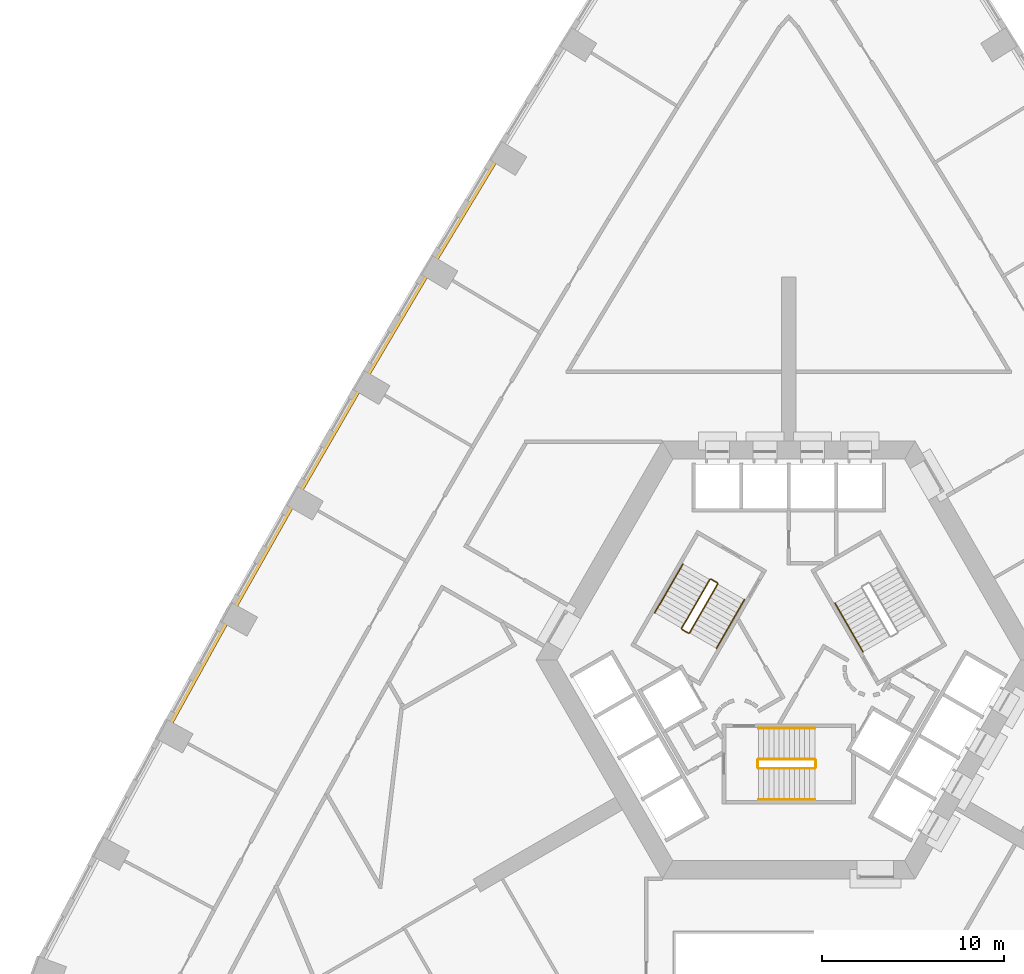
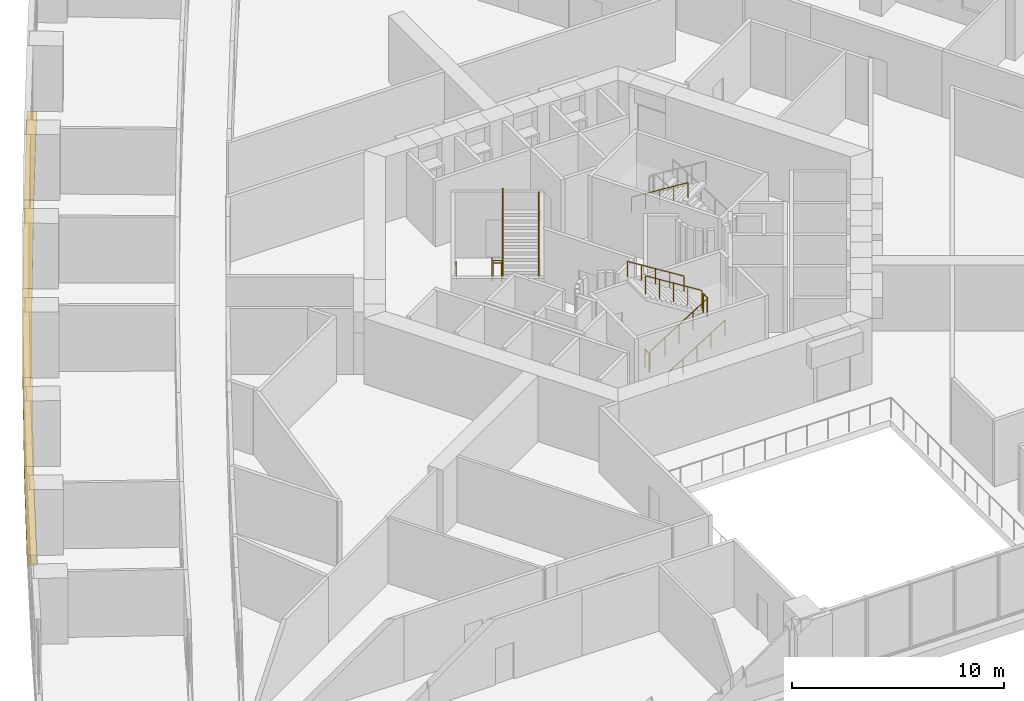
# One storey, part 14 of 16: 13 railings, 5 coverings.
"""IFC4 building model written with IfcOpenShell, lengths in metres."""

from ifc_helpers import new_model, si_unit, direction, frame, origin, origin_2d, place, context, subcontext, project, spatial, polyline, circle, outline, extrude, material, type_object, element, save


model = new_model("IFC4")

# Units and contexts
model_context = context("Model", 3, precision=1e-05, world=origin(), true_north=direction((0.0, 1.0)))
body_context = subcontext(model_context, "Body", "Model", "MODEL_VIEW")
ifc_project = project(units=[si_unit("LENGTHUNIT", "METRE"), si_unit("AREAUNIT", "SQUARE_METRE"), si_unit("VOLUMEUNIT", "CUBIC_METRE"), si_unit("PLANEANGLEUNIT", "RADIAN"), si_unit("MASSUNIT", "GRAM", prefix="KILO")], contexts=[model_context])

# Site, building, storey
site_placement = place(None, origin())
site = spatial("IfcSite", under=ifc_project, at=site_placement, CompositionType="ELEMENT")
building_placement = place(site_placement, origin())
building = spatial("IfcBuilding", under=site, at=building_placement, Name="Entoto Arch Interchange Tower", CompositionType="ELEMENT")
storey_placement = place(building_placement, frame((0.0, 0.0, 60.199951171875)))
storey = spatial("IfcBuildingStorey", under=building, at=storey_placement, Name="L12", CompositionType="ELEMENT", Elevation=60.199951171875)

# Coverings
ifc_material_1 = material(Name="Board-marked precast concrete C50/60", Category="concrete")
covering_type = type_object("IfcCoveringType", Name="PRECAST LEDGE COURSE", PredefinedType="CLADDING", material=ifc_material_1)
covering_1_placement = place(storey_placement, frame((0.0, 0.0, -1.0)))
element("IfcCovering", 1, at=covering_1_placement, inside=storey, type_object=covering_type, Name="Precast course NW-03 L12", PredefinedType="CLADDING", context=body_context, shape_type="SweptSolid", body=[
    extrude(outline(polyline([(-19.511962890625, 23.944091796875), (-19.89990234375, 24.176025390625), (-16.118896484375, 30.449951171875), (-15.72900390625, 30.2119140625), (-19.511962890625, 23.944091796875)])), origin(), (0.0, 0.0, 1.0), 0.60009765625),
])
covering_2_placement = place(storey_placement, frame((0.0, 0.0, -1.0)))
element("IfcCovering", 2, at=covering_2_placement, inside=storey, type_object=covering_type, Name="Precast course NW-04 L12", PredefinedType="CLADDING", context=body_context, shape_type="SweptSolid", body=[
    extrude(outline(polyline([(-23.23388671875, 17.639892578125), (-23.623046875, 17.866943359375), (-19.89990234375, 24.176025390625), (-19.511962890625, 23.944091796875), (-23.23388671875, 17.639892578125)])), origin(), (0.0, 0.0, 1.0), 0.60009765625),
])
covering_3_placement = place(storey_placement, frame((0.0, 0.0, -1.0)))
element("IfcCovering", 3, at=covering_3_placement, inside=storey, type_object=covering_type, Name="Precast course NW-05 L12", PredefinedType="CLADDING", context=body_context, shape_type="SweptSolid", body=[
    extrude(outline(polyline([(-26.89404296875, 11.301025390625), (-27.284912109375, 11.52392578125), (-23.623046875, 17.866943359375), (-23.23388671875, 17.639892578125), (-26.89404296875, 11.301025390625)])), origin(), (0.0, 0.0, 1.0), 0.60009765625),
])
covering_4_placement = place(storey_placement, frame((0.0, 0.0, -1.0)))
element("IfcCovering", 4, at=covering_4_placement, inside=storey, type_object=covering_type, Name="Precast course NW-06 L12", PredefinedType="CLADDING", context=body_context, shape_type="SweptSolid", body=[
    extrude(outline(polyline([(-30.491943359375, 4.925048828125), (-30.887939453125, 5.14599609375), (-27.284912109375, 11.52392578125), (-26.89404296875, 11.301025390625), (-30.491943359375, 4.925048828125)])), origin(), (0.0, 0.0, 1.0), 0.60009765625),
])
covering_5_placement = place(storey_placement, frame((0.0, 0.0, -1.0)))
element("IfcCovering", 5, at=covering_5_placement, inside=storey, type_object=covering_type, Name="Precast course NW-07 L12", PredefinedType="CLADDING", context=body_context, shape_type="SweptSolid", body=[
    extrude(outline(polyline([(-34.028076171875, -1.48291015625), (-34.429931640625, -1.264892578125), (-30.887939453125, 5.14599609375), (-30.491943359375, 4.925048828125), (-34.028076171875, -1.48291015625)])), origin(), (0.0, 0.0, 1.0), 0.60009765625),
])

# Railings
ifc_material_2 = material(Name="Stainless steel 1.4301", Category="steel")
railing_type_1 = type_object("IfcRailingType", Name="STAIR GUARD 1100 STEEL", PredefinedType="GUARDRAIL", material=ifc_material_2)
railing_1_placement = place(storey_placement, frame((-1.64990234375, -3.449951171875, 0.175048828125)))
element("IfcRailing", 6, at=railing_1_placement, inside=storey, type_object=railing_type_1, Name="L12 ST-S stair guard 1", PredefinedType="GUARDRAIL", context=body_context, shape_type="SweptSolid", body=[
    extrude(circle(Radius=0.02392578125, at=origin_2d()), frame((0.0, 0.0, 1.076171875), z_axis=(0.847979421464, 0.0, 0.530029150871), x_axis=(0.0, 1.0, 0.0)), (0.0, 0.0, 1.0), 3.632080078125),
    extrude(circle(Radius=0.02099609375, at=origin_2d()), origin(), (0.0, 0.0, 1.0), 1.052001953125),
    extrude(circle(Radius=0.02099609375, at=origin_2d()), frame((0.77001953125, 0.0, 0.481201171875)), (0.0, 0.0, 1.0), 1.052001953125),
    extrude(circle(Radius=0.02099609375, at=origin_2d()), frame((1.5400390625, 0.0, 0.96240234375)), (0.0, 0.0, 1.0), 1.052001953125),
    extrude(circle(Radius=0.02099609375, at=origin_2d()), frame((2.309814453125, 0.0, 1.44384765625)), (0.0, 0.0, 1.0), 1.052001953125),
    extrude(circle(Radius=0.02099609375, at=origin_2d()), frame((3.079833984375, 0.0, 1.925048828125)), (0.0, 0.0, 1.0), 1.052001953125),
])
railing_2_placement = place(storey_placement, frame((1.47998046875, -3.39990234375, 2.10009765625)))
element("IfcRailing", 7, at=railing_2_placement, inside=storey, type_object=railing_type_1, Name="L12 ST-S stair guard 2", PredefinedType="GUARDRAIL", context=body_context, shape_type="SweptSolid", body=[
    extrude(circle(Radius=0.02392578125, at=origin_2d()), frame((0.0, 0.0, 1.076171875), z_axis=(0.0, 1.0, 0.0), x_axis=(-1.0, 0.0, 0.0)), (0.0, 0.0, 1.0), 0.39990234375),
    extrude(circle(Radius=0.02099609375, at=origin_2d()), origin(), (0.0, 0.0, 1.0), 1.052001953125),
    extrude(circle(Radius=0.02099609375, at=origin_2d()), frame((0.0, 0.39990234375, 0.0)), (0.0, 0.0, 1.0), 1.052001953125),
])
railing_3_placement = place(storey_placement, frame((1.429931640625, -2.949951171875, 2.275146484375)))
element("IfcRailing", 8, at=railing_3_placement, inside=storey, type_object=railing_type_1, Name="L12 ST-S stair guard 3", PredefinedType="GUARDRAIL", context=body_context, shape_type="SweptSolid", body=[
    extrude(circle(Radius=0.02392578125, at=origin_2d()), frame((0.0, 0.0, 1.076171875), z_axis=(-0.848009633417, 0.0, 0.529980812513), x_axis=(0.0, -1.0, 0.0)), (0.0, 0.0, 1.0), 3.6318359375),
    extrude(circle(Radius=0.02099609375, at=origin_2d()), origin(), (0.0, 0.0, 1.0), 1.052001953125),
    extrude(circle(Radius=0.02099609375, at=origin_2d()), frame((-0.77001953125, 0.0, 0.481201171875)), (0.0, 0.0, 1.0), 1.052001953125),
    extrude(circle(Radius=0.02099609375, at=origin_2d()), frame((-1.5400390625, 0.0, 0.96240234375)), (0.0, 0.0, 1.0), 1.052001953125),
    extrude(circle(Radius=0.02099609375, at=origin_2d()), frame((-2.309814453125, 0.0, 1.443603515625)), (0.0, 0.0, 1.0), 1.052001953125),
    extrude(circle(Radius=0.02099609375, at=origin_2d()), frame((-3.079833984375, 0.0, 1.9248046875)), (0.0, 0.0, 1.0), 1.052001953125),
])
railing_4_placement = place(storey_placement, frame((-1.699951171875, -3.39990234375, 0.0)))
element("IfcRailing", 9, at=railing_4_placement, inside=storey, type_object=railing_type_1, Name="L12 ST-S stair guard 4", PredefinedType="GUARDRAIL", context=body_context, shape_type="SweptSolid", body=[
    extrude(circle(Radius=0.02392578125, at=origin_2d()), frame((0.0, 0.0, 1.076171875), z_axis=(0.0, 1.0, 0.0), x_axis=(-1.0, 0.0, 0.0)), (0.0, 0.0, 1.0), 0.39990234375),
    extrude(circle(Radius=0.02099609375, at=origin_2d()), origin(), (0.0, 0.0, 1.0), 1.052001953125),
    extrude(circle(Radius=0.02099609375, at=origin_2d()), frame((0.0, 0.39990234375, 0.0)), (0.0, 0.0, 1.0), 1.052001953125),
])
railing_5_placement = place(storey_placement, frame((-4.327880859375, 6.904052734375, 0.175048828125)))
element("IfcRailing", 10, at=railing_5_placement, inside=storey, type_object=railing_type_1, Name="L12 ST-NW stair guard 1", PredefinedType="GUARDRAIL", context=body_context, shape_type="SweptSolid", body=[
    extrude(circle(Radius=0.02392578125, at=origin_2d()), frame((0.0, 0.0, 1.076171875), z_axis=(-0.423994474112, -0.734394994316, 0.52999309264), x_axis=(0.866029832698, -0.499992328818, 0.0)), (0.0, 0.0, 1.0), 3.63232421875),
    extrude(circle(Radius=0.02099609375, at=origin_2d()), origin(), (0.0, 0.0, 1.0), 1.052001953125),
    extrude(circle(Radius=0.02099609375, at=origin_2d()), frame((-0.385009765625, -0.6669921875, 0.481201171875)), (0.0, 0.0, 1.0), 1.052001953125),
    extrude(circle(Radius=0.02099609375, at=origin_2d()), frame((-0.77001953125, -1.333740234375, 0.96240234375)), (0.0, 0.0, 1.0), 1.052001953125),
    extrude(circle(Radius=0.02099609375, at=origin_2d()), frame((-1.155029296875, -2.00048828125, 1.44384765625)), (0.0, 0.0, 1.0), 1.052001953125),
    extrude(circle(Radius=0.02099609375, at=origin_2d()), frame((-1.5400390625, -2.66748046875, 1.925048828125)), (0.0, 0.0, 1.0), 1.052001953125),
])
railing_6_placement = place(storey_placement, frame((-5.849609375, 4.168212890625, 2.10009765625)))
element("IfcRailing", 11, at=railing_6_placement, inside=storey, type_object=railing_type_1, Name="L12 ST-NW stair guard 2", PredefinedType="GUARDRAIL", context=body_context, shape_type="SweptSolid", body=[
    extrude(circle(Radius=0.02392578125, at=origin_2d()), frame((0.0, 0.0, 1.076171875), z_axis=(0.866094119867, -0.499880961361, 0.0), x_axis=(0.499880961361, 0.866094119867, 0.0)), (0.0, 0.0, 1.0), 0.39990234375),
    extrude(circle(Radius=0.02099609375, at=origin_2d()), origin(), (0.0, 0.0, 1.0), 1.052001953125),
    extrude(circle(Radius=0.02099609375, at=origin_2d()), frame((0.346435546875, -0.199951171875, 0.0)), (0.0, 0.0, 1.0), 1.052001953125),
])
railing_7_placement = place(storey_placement, frame((-5.434814453125, 3.986572265625, 2.275146484375)))
element("IfcRailing", 12, at=railing_7_placement, inside=storey, type_object=railing_type_1, Name="L12 ST-NW stair guard 3", PredefinedType="GUARDRAIL", context=body_context, shape_type="SweptSolid", body=[
    extrude(circle(Radius=0.02392578125, at=origin_2d()), frame((0.0, 0.0, 1.076171875), z_axis=(0.424009578203, 0.734421155904, 0.529944755001), x_axis=(-0.866029832698, 0.499992328818, 0.0)), (0.0, 0.0, 1.0), 3.632080078125),
    extrude(circle(Radius=0.02099609375, at=origin_2d()), origin(), (0.0, 0.0, 1.0), 1.052001953125),
    extrude(circle(Radius=0.02099609375, at=origin_2d()), frame((0.385009765625, 0.6669921875, 0.481201171875)), (0.0, 0.0, 1.0), 1.052001953125),
    extrude(circle(Radius=0.02099609375, at=origin_2d()), frame((0.77001953125, 1.333740234375, 0.96240234375)), (0.0, 0.0, 1.0), 1.052001953125),
    extrude(circle(Radius=0.02099609375, at=origin_2d()), frame((1.155029296875, 2.00048828125, 1.443603515625)), (0.0, 0.0, 1.0), 1.052001953125),
    extrude(circle(Radius=0.02099609375, at=origin_2d()), frame((1.5400390625, 2.66748046875, 1.9248046875)), (0.0, 0.0, 1.0), 1.052001953125),
])
railing_8_placement = place(storey_placement, frame((-4.259521484375, 6.92236328125, 0.0)))
element("IfcRailing", 13, at=railing_8_placement, inside=storey, type_object=railing_type_1, Name="L12 ST-NW stair guard 4", PredefinedType="GUARDRAIL", context=body_context, shape_type="SweptSolid", body=[
    extrude(circle(Radius=0.02392578125, at=origin_2d()), frame((0.0, 0.0, 1.076171875), z_axis=(0.865829829939, -0.500338590944, 0.0), x_axis=(0.500338590944, 0.865829829939, 0.0)), (0.0, 0.0, 1.0), 0.400146484375),
    extrude(circle(Radius=0.02099609375, at=origin_2d()), origin(), (0.0, 0.0, 1.0), 1.052001953125),
    extrude(circle(Radius=0.02099609375, at=origin_2d()), frame((0.346435546875, -0.2001953125, 0.0)), (0.0, 0.0, 1.0), 1.052001953125),
])
railing_type_2 = type_object("IfcRailingType", Name="STAIR HANDRAIL 900 STEEL", PredefinedType="HANDRAIL", material=ifc_material_2)
railing_9_placement = place(storey_placement, frame((-1.64990234375, -5.14990234375, 0.175048828125)))
element("IfcRailing", 14, at=railing_9_placement, inside=storey, type_object=railing_type_2, Name="L12 ST-S stair handrail 1", PredefinedType="HANDRAIL", context=body_context, shape_type="SweptSolid", body=[
    extrude(circle(Radius=0.02392578125, at=origin_2d()), frame((0.0, 0.0, 0.8759765625), z_axis=(0.847979421464, 0.0, 0.530029150871), x_axis=(0.0, 1.0, 0.0)), (0.0, 0.0, 1.0), 3.632080078125),
    extrude(circle(Radius=0.02099609375, at=origin_2d()), origin(), (0.0, 0.0, 1.0), 0.851806640625),
    extrude(circle(Radius=0.02099609375, at=origin_2d()), frame((0.77001953125, 0.0, 0.481201171875)), (0.0, 0.0, 1.0), 0.851806640625),
    extrude(circle(Radius=0.02099609375, at=origin_2d()), frame((1.5400390625, 0.0, 0.96240234375)), (0.0, 0.0, 1.0), 0.851806640625),
    extrude(circle(Radius=0.02099609375, at=origin_2d()), frame((2.309814453125, 0.0, 1.44384765625)), (0.0, 0.0, 1.0), 0.851806640625),
    extrude(circle(Radius=0.02099609375, at=origin_2d()), frame((3.079833984375, 0.0, 1.925048828125)), (0.0, 0.0, 1.0), 0.851806640625),
])
railing_10_placement = place(storey_placement, frame((1.429931640625, -1.25, 2.275146484375)))
element("IfcRailing", 15, at=railing_10_placement, inside=storey, type_object=railing_type_2, Name="L12 ST-S stair handrail 2", PredefinedType="HANDRAIL", context=body_context, shape_type="SweptSolid", body=[
    extrude(circle(Radius=0.02392578125, at=origin_2d()), frame((0.0, 0.0, 0.8759765625), z_axis=(-0.848009633417, 0.0, 0.529980812513), x_axis=(0.0, -1.0, 0.0)), (0.0, 0.0, 1.0), 3.6318359375),
    extrude(circle(Radius=0.02099609375, at=origin_2d()), origin(), (0.0, 0.0, 1.0), 0.851806640625),
    extrude(circle(Radius=0.02099609375, at=origin_2d()), frame((-0.77001953125, 0.0, 0.481201171875)), (0.0, 0.0, 1.0), 0.851806640625),
    extrude(circle(Radius=0.02099609375, at=origin_2d()), frame((-1.5400390625, 0.0, 0.96240234375)), (0.0, 0.0, 1.0), 0.851806640625),
    extrude(circle(Radius=0.02099609375, at=origin_2d()), frame((-2.309814453125, 0.0, 1.443603515625)), (0.0, 0.0, 1.0), 0.851806640625),
    extrude(circle(Radius=0.02099609375, at=origin_2d()), frame((-3.079833984375, 0.0, 1.9248046875)), (0.0, 0.0, 1.0), 0.851806640625),
])
railing_11_placement = place(storey_placement, frame((2.53271484375, 5.613525390625, 2.275146484375)))
element("IfcRailing", 16, at=railing_11_placement, inside=storey, type_object=railing_type_2, Name="L12 ST-NE stair handrail 2", PredefinedType="HANDRAIL", context=body_context, shape_type="SweptSolid", body=[
    extrude(circle(Radius=0.02392578125, at=origin_2d()), frame((0.0, 0.0, 0.8759765625), z_axis=(0.423954442778, -0.734442086855, 0.52995985839), x_axis=(0.866064153644, 0.499932877268, 0.0)), (0.0, 0.0, 1.0), 3.632080078125),
    extrude(circle(Radius=0.02099609375, at=origin_2d()), origin(), (0.0, 0.0, 1.0), 0.851806640625),
    extrude(circle(Radius=0.02099609375, at=origin_2d()), frame((0.385009765625, -0.6669921875, 0.481201171875)), (0.0, 0.0, 1.0), 0.851806640625),
    extrude(circle(Radius=0.02099609375, at=origin_2d()), frame((0.77001953125, -1.333740234375, 0.96240234375)), (0.0, 0.0, 1.0), 0.851806640625),
    extrude(circle(Radius=0.02099609375, at=origin_2d()), frame((1.15478515625, -2.00048828125, 1.443603515625)), (0.0, 0.0, 1.0), 0.851806640625),
    extrude(circle(Radius=0.02099609375, at=origin_2d()), frame((1.539794921875, -2.66748046875, 1.9248046875)), (0.0, 0.0, 1.0), 0.851806640625),
])
railing_12_placement = place(storey_placement, frame((-5.800048828125, 7.75390625, 0.175048828125)))
element("IfcRailing", 17, at=railing_12_placement, inside=storey, type_object=railing_type_2, Name="L12 ST-NW stair handrail 1", PredefinedType="HANDRAIL", context=body_context, shape_type="SweptSolid", body=[
    extrude(circle(Radius=0.02392578125, at=origin_2d()), frame((0.0, 0.0, 0.8759765625), z_axis=(-0.424015404183, -0.734364028329, 0.530019255228), x_axis=(0.866010015463, -0.500026652407, 0.0)), (0.0, 0.0, 1.0), 3.632080078125),
    extrude(circle(Radius=0.02099609375, at=origin_2d()), origin(), (0.0, 0.0, 1.0), 0.851806640625),
    extrude(circle(Radius=0.02099609375, at=origin_2d()), frame((-0.385009765625, -0.666748046875, 0.481201171875)), (0.0, 0.0, 1.0), 0.851806640625),
    extrude(circle(Radius=0.02099609375, at=origin_2d()), frame((-0.77001953125, -1.33349609375, 0.96240234375)), (0.0, 0.0, 1.0), 0.851806640625),
    extrude(circle(Radius=0.02099609375, at=origin_2d()), frame((-1.155029296875, -2.00048828125, 1.44384765625)), (0.0, 0.0, 1.0), 0.851806640625),
    extrude(circle(Radius=0.02099609375, at=origin_2d()), frame((-1.5400390625, -2.667236328125, 1.925048828125)), (0.0, 0.0, 1.0), 0.851806640625),
])
railing_13_placement = place(storey_placement, frame((-3.962646484375, 3.136474609375, 2.275146484375)))
element("IfcRailing", 18, at=railing_13_placement, inside=storey, type_object=railing_type_2, Name="L12 ST-NW stair handrail 2", PredefinedType="HANDRAIL", context=body_context, shape_type="SweptSolid", body=[
    extrude(circle(Radius=0.02392578125, at=origin_2d()), frame((0.0, 0.0, 0.8759765625), z_axis=(0.424009578203, 0.734421155904, 0.529944755001), x_axis=(-0.866029832698, 0.499992328818, 0.0)), (0.0, 0.0, 1.0), 3.632080078125),
    extrude(circle(Radius=0.02099609375, at=origin_2d()), origin(), (0.0, 0.0, 1.0), 0.851806640625),
    extrude(circle(Radius=0.02099609375, at=origin_2d()), frame((0.385009765625, 0.6669921875, 0.481201171875)), (0.0, 0.0, 1.0), 0.851806640625),
    extrude(circle(Radius=0.02099609375, at=origin_2d()), frame((0.77001953125, 1.333740234375, 0.96240234375)), (0.0, 0.0, 1.0), 0.851806640625),
    extrude(circle(Radius=0.02099609375, at=origin_2d()), frame((1.155029296875, 2.00048828125, 1.443603515625)), (0.0, 0.0, 1.0), 0.851806640625),
    extrude(circle(Radius=0.02099609375, at=origin_2d()), frame((1.5400390625, 2.66748046875, 1.9248046875)), (0.0, 0.0, 1.0), 0.851806640625),
])

save(model, "model.ifc")
